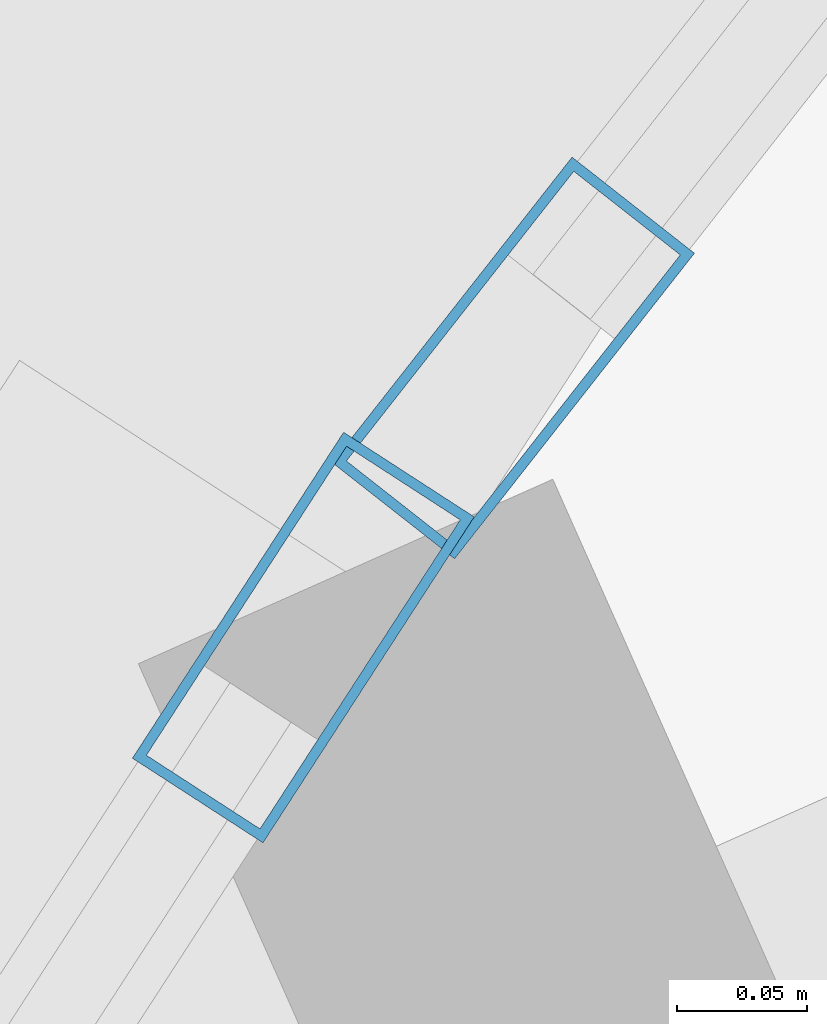
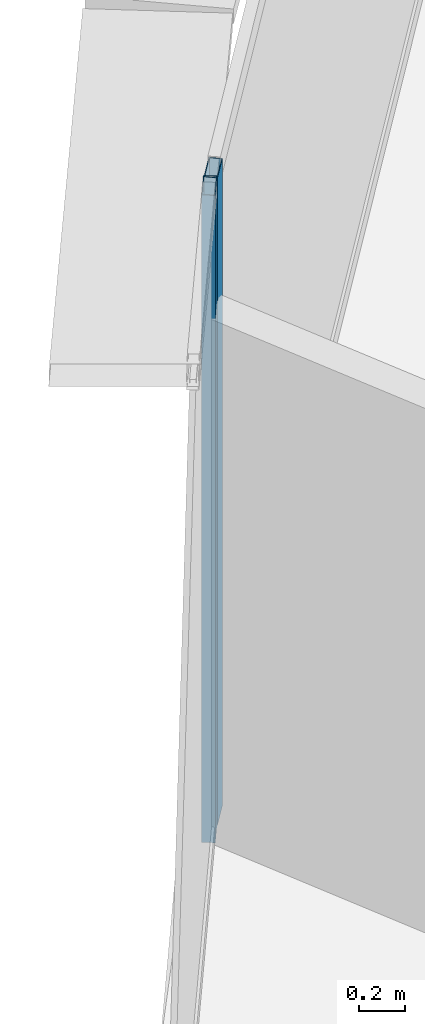
# One storey, part 18 of 42: 2 members, 2 elements without a shape of their own.
"""IFC4 building model written with IfcOpenShell, lengths in metres."""

from ifc_helpers import new_model, si_unit, direction, frame, origin, origin_2d, place, context, subcontext, project, spatial, hollow_rectangle, extrude, source, transform, mapped, material, layer, layer_set, material_profile, profile_set, type_object, element, aggregate, save


model = new_model("IFC4")

# Units and contexts
model_context = context("Model", 3, precision=1e-05, world=origin(), true_north=direction((0.0, 1.0)))
body_context = subcontext(model_context, "Body", "Model", "MODEL_VIEW")
ifc_project = project(units=[si_unit("LENGTHUNIT", "METRE"), si_unit("AREAUNIT", "SQUARE_METRE"), si_unit("VOLUMEUNIT", "CUBIC_METRE"), si_unit("PLANEANGLEUNIT", "RADIAN"), si_unit("MASSUNIT", "GRAM", prefix="KILO"), si_unit("THERMODYNAMICTEMPERATUREUNIT", "KELVIN"), si_unit("POWERUNIT", "WATT")], contexts=[model_context])

# Site, building, storey
site_placement = place(None, origin())
site = spatial("IfcSite", under=ifc_project, at=site_placement, CompositionType="ELEMENT")
building_placement = place(site_placement, origin())
building = spatial("IfcBuilding", under=site, at=building_placement, Name="Yunzhuo Pagoda Commons", CompositionType="ELEMENT")
storey_placement = place(building_placement, frame((0.0, 0.0, 137.18994140625)))
storey = spatial("IfcBuildingStorey", under=building, at=storey_placement, Name="L34", CompositionType="ELEMENT", Elevation=137.18994140625)

# Curtain wall, member
ifc_material = material(Name="Anodized aluminium 6063-T6", Category="aluminium")
ifc_layer = layer(ifc_material, 0.14990234375)
ifc_layer_set = layer_set([ifc_layer], Name="Anodized aluminium 6063-T6")
curtain_wall_type = type_object("IfcCurtainWallType", Name="CW-MID Mid-Zone Ribbon Curtain Wall", PredefinedType="NOTDEFINED", material=ifc_layer_set)
curtain_wall_1_placement = place(storey_placement, origin())
curtain_wall_1 = element("IfcCurtainWall", 1, at=curtain_wall_1_placement, inside=storey, type_object=curtain_wall_type, Name="L34 curtain wall CW-L34-F3B2", PredefinedType="NOTDEFINED")
ifc_material_profile = material_profile(ifc_material, hollow_rectangle(XDim=0.06005859375, YDim=0.14990234375, WallThickness=0.00390625, at=origin_2d()), Name="Anodized aluminium 6063-T6")
ifc_profile_set = profile_set([ifc_material_profile], Name="Anodized aluminium 6063-T6")
member_type = type_object("IfcMemberType", Name="CW-MID-M Mullion RHS 150x60x4", PredefinedType="MULLION", material=ifc_profile_set)
shared_shape = source(origin(), body_context, "Body", "SweptSolid", [
    extrude(hollow_rectangle(XDim=0.06005859375, YDim=0.14990234375, WallThickness=0.00390625, at=origin_2d()), origin(), (0.0, 0.0, 1.0), 3.420166015625),
])
member_1_placement = place(storey_placement, frame((31.7490234375, 70.138427734375, 0.0), z_axis=(0.0, 0.0, 1.0), x_axis=(0.839249165596, -0.543747034977, 0.0)))
member_1 = element("IfcMember", 2, at=member_1_placement, type_object=member_type, Name="CW mullion 1", PredefinedType="MULLION", context=body_context, shape_type="MappedRepresentation", body=[
    mapped(shared_shape, transform((0.0, 0.0, 0.0), scale=1.0)),
])
aggregate(curtain_wall_1, [member_1])

curtain_wall_2_placement = place(storey_placement, origin())
curtain_wall_2 = element("IfcCurtainWall", 3, at=curtain_wall_2_placement, inside=storey, type_object=curtain_wall_type, Name="L34 curtain wall CW-L34-F3B1", PredefinedType="NOTDEFINED")
member_2_placement = place(storey_placement, frame((31.830078125, 70.246337890625, 0.0), z_axis=(0.0, 0.0, 1.0), x_axis=(0.786571576347, -0.617499113588, 0.0)))
member_2 = element("IfcMember", 4, at=member_2_placement, type_object=member_type, Name="CW mullion 2", PredefinedType="MULLION", context=body_context, shape_type="MappedRepresentation", body=[
    mapped(shared_shape, transform((0.0, 0.0, 0.0), scale=1.0)),
])
aggregate(curtain_wall_2, [member_2])

save(model, "model.ifc")
